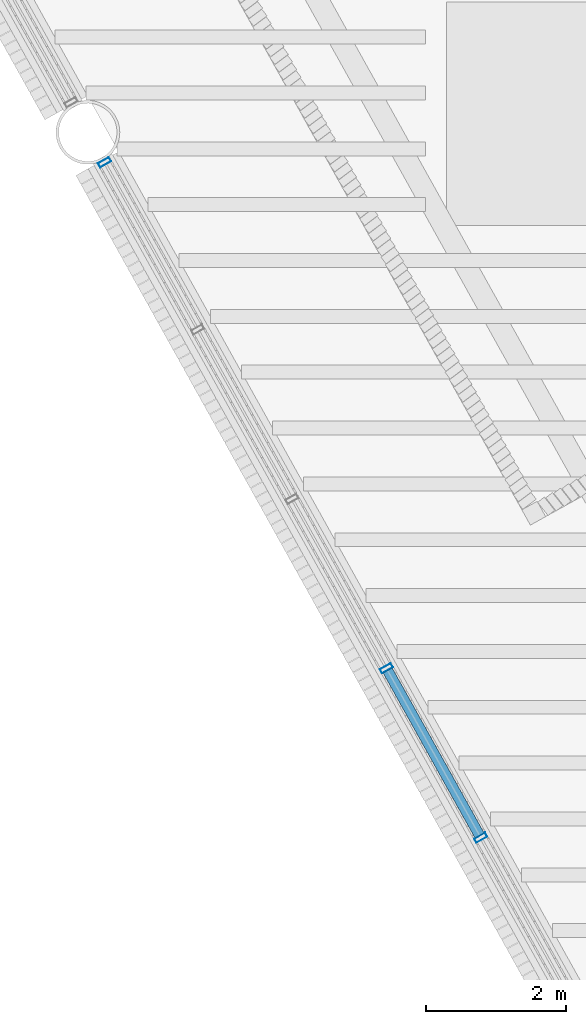
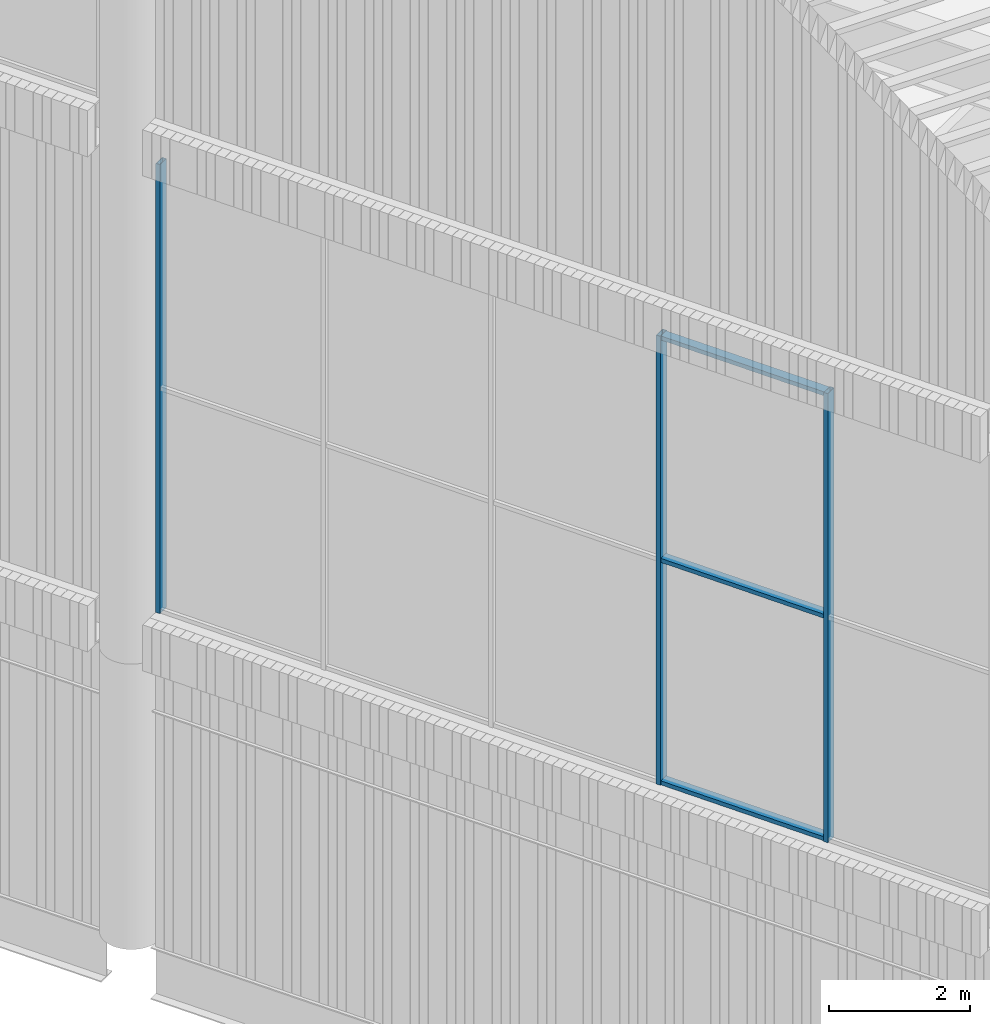
# One storey, part 3 of 117: 6 members, 1 element without a shape of its own.
"""IFC4 building model written with IfcOpenShell, lengths in metres."""

from ifc_helpers import new_model, si_unit, direction, frame, origin, origin_2d, place, context, subcontext, project, spatial, hollow_rectangle, extrude, material, layer, layer_set, material_profile, profile_set, type_object, element, aggregate, save


model = new_model("IFC4")

# Units and contexts
model_context = context("Model", 3, precision=1e-05, world=origin(), true_north=direction((0.0, 1.0)))
body_context = subcontext(model_context, "Body", "Model", "MODEL_VIEW")
ifc_project = project(units=[si_unit("LENGTHUNIT", "METRE"), si_unit("AREAUNIT", "SQUARE_METRE"), si_unit("VOLUMEUNIT", "CUBIC_METRE"), si_unit("PLANEANGLEUNIT", "RADIAN"), si_unit("MASSUNIT", "GRAM", prefix="KILO")], contexts=[model_context])

# Site, building, storey
site_placement = place(None, origin())
site = spatial("IfcSite", under=ifc_project, at=site_placement, CompositionType="ELEMENT")
building_placement = place(site_placement, origin())
building = spatial("IfcBuilding", under=site, at=building_placement, Name="Tarsis Ring Headquarters", CompositionType="ELEMENT")
storey_placement = place(building_placement, frame((0.0, 0.0, 403.60009765625)))
storey = spatial("IfcBuildingStorey", under=building, at=storey_placement, Name="L95", CompositionType="ELEMENT", Elevation=403.60009765625)

# Curtain wall, members
ifc_material_1 = material(Name="Aluminium curtain wall", Category="aluminium")
ifc_layer = layer(ifc_material_1, 0.179931640625)
ifc_layer_set = layer_set([ifc_layer], Name="Curtain wall crown glazing")
curtain_wall_type = type_object("IfcCurtainWallType", Name="Curtain wall crown glazing", PredefinedType="NOTDEFINED", material=ifc_layer_set)
curtain_wall_placement = place(storey_placement, origin())
curtain_wall = element("IfcCurtainWall", 1, at=curtain_wall_placement, inside=storey, type_object=curtain_wall_type, Name="Crown glazing L17", PredefinedType="NOTDEFINED")
ifc_material_2 = material(Name="Aluminium mullion", Category="aluminium")
ifc_material_profile_1 = material_profile(ifc_material_2, hollow_rectangle(XDim=0.179931640625, YDim=0.070068359375, WallThickness=0.0048828125, at=origin_2d()), Name="RHS 180x70x5")
ifc_profile_set_1 = profile_set([ifc_material_profile_1], Name="Aluminium mullion")
member_type_1 = type_object("IfcMemberType", Name="Crown glazing mullion RHS 180x70x5", PredefinedType="MULLION", material=ifc_profile_set_1)
member_1_placement = place(storey_placement, frame((-37.150634765625, -21.258056640625, 5.7998046875), z_axis=(0.0, 0.0, 1.0), x_axis=(0.873602422445, 0.486640326625, 0.0)))
member_1 = element("IfcMember", 2, at=member_1_placement, type_object=member_type_1, Name="CW-C mullion 1", PredefinedType="MULLION", context=body_context, shape_type="SweptSolid", body=[
    extrude(hollow_rectangle(XDim=0.179931640625, YDim=0.070068359375, WallThickness=0.0048828125, at=origin_2d()), origin(), (0.0, 0.0, 1.0), 7.800048828125),
])
member_2_placement = place(storey_placement, frame((-33.11328125, -28.505859375, 5.7998046875), z_axis=(0.0, 0.0, 1.0), x_axis=(0.873602422445, 0.486640326625, 0.0)))
member_2 = element("IfcMember", 3, at=member_2_placement, type_object=member_type_1, Name="CW-C mullion 4", PredefinedType="MULLION", context=body_context, shape_type="SweptSolid", body=[
    extrude(hollow_rectangle(XDim=0.179931640625, YDim=0.070068359375, WallThickness=0.0048828125, at=origin_2d()), origin(), (0.0, 0.0, 1.0), 7.800048828125),
])
member_3_placement = place(storey_placement, frame((-31.76171875, -30.93212890625, 5.7998046875), z_axis=(0.0, 0.0, 1.0), x_axis=(0.873602422445, 0.486640326625, 0.0)))
member_3 = element("IfcMember", 4, at=member_3_placement, type_object=member_type_1, Name="CW-C mullion 5", PredefinedType="MULLION", context=body_context, shape_type="SweptSolid", body=[
    extrude(hollow_rectangle(XDim=0.179931640625, YDim=0.070068359375, WallThickness=0.0048828125, at=origin_2d()), origin(), (0.0, 0.0, 1.0), 7.800048828125),
])
ifc_material_3 = material(Name="Aluminium transom", Category="aluminium")
ifc_material_profile_2 = material_profile(ifc_material_3, hollow_rectangle(XDim=0.14990234375, YDim=0.070068359375, WallThickness=0.0048828125, at=origin_2d()), Name="RHS 150x70x5")
ifc_profile_set_2 = profile_set([ifc_material_profile_2], Name="Aluminium transom")
member_type_2 = type_object("IfcMemberType", Name="Crown glazing transom RHS 150x70x5", PredefinedType="USERDEFINED", material=ifc_profile_set_2)
member_4_placement = place(storey_placement, frame((-33.09619140625, -28.53662109375, 5.8349609375), z_axis=(0.486630386149, -0.873607959715, 0.0), x_axis=(0.873607959715, 0.486630386149, 0.0)))
member_4 = element("IfcMember", 5, at=member_4_placement, type_object=member_type_2, Name="CW-C transom 4.1", ObjectType="TRANSOM", PredefinedType="USERDEFINED", context=body_context, shape_type="SweptSolid", body=[
    extrude(hollow_rectangle(XDim=0.14990234375, YDim=0.070068359375, WallThickness=0.0048828125, at=origin_2d()), origin(), (0.0, 0.0, 1.0), 2.70703125),
])
member_5_placement = place(storey_placement, frame((-33.09619140625, -28.53662109375, 9.699951171875), z_axis=(0.486630386149, -0.873607959715, 0.0), x_axis=(0.873607959715, 0.486630386149, 0.0)))
member_5 = element("IfcMember", 6, at=member_5_placement, type_object=member_type_2, Name="CW-C transom 4.2", ObjectType="TRANSOM", PredefinedType="USERDEFINED", context=body_context, shape_type="SweptSolid", body=[
    extrude(hollow_rectangle(XDim=0.14990234375, YDim=0.070068359375, WallThickness=0.0048828125, at=origin_2d()), origin(), (0.0, 0.0, 1.0), 2.70703125),
])
member_6_placement = place(storey_placement, frame((-33.09619140625, -28.53662109375, 13.56494140625), z_axis=(0.486630386149, -0.873607959715, 0.0), x_axis=(0.873607959715, 0.486630386149, 0.0)))
member_6 = element("IfcMember", 7, at=member_6_placement, type_object=member_type_2, Name="CW-C transom 4.3", ObjectType="TRANSOM", PredefinedType="USERDEFINED", context=body_context, shape_type="SweptSolid", body=[
    extrude(hollow_rectangle(XDim=0.14990234375, YDim=0.070068359375, WallThickness=0.0048828125, at=origin_2d()), origin(), (0.0, 0.0, 1.0), 2.70703125),
])
aggregate(curtain_wall, [member_1, member_2, member_3, member_4, member_5, member_6])

save(model, "model.ifc")
